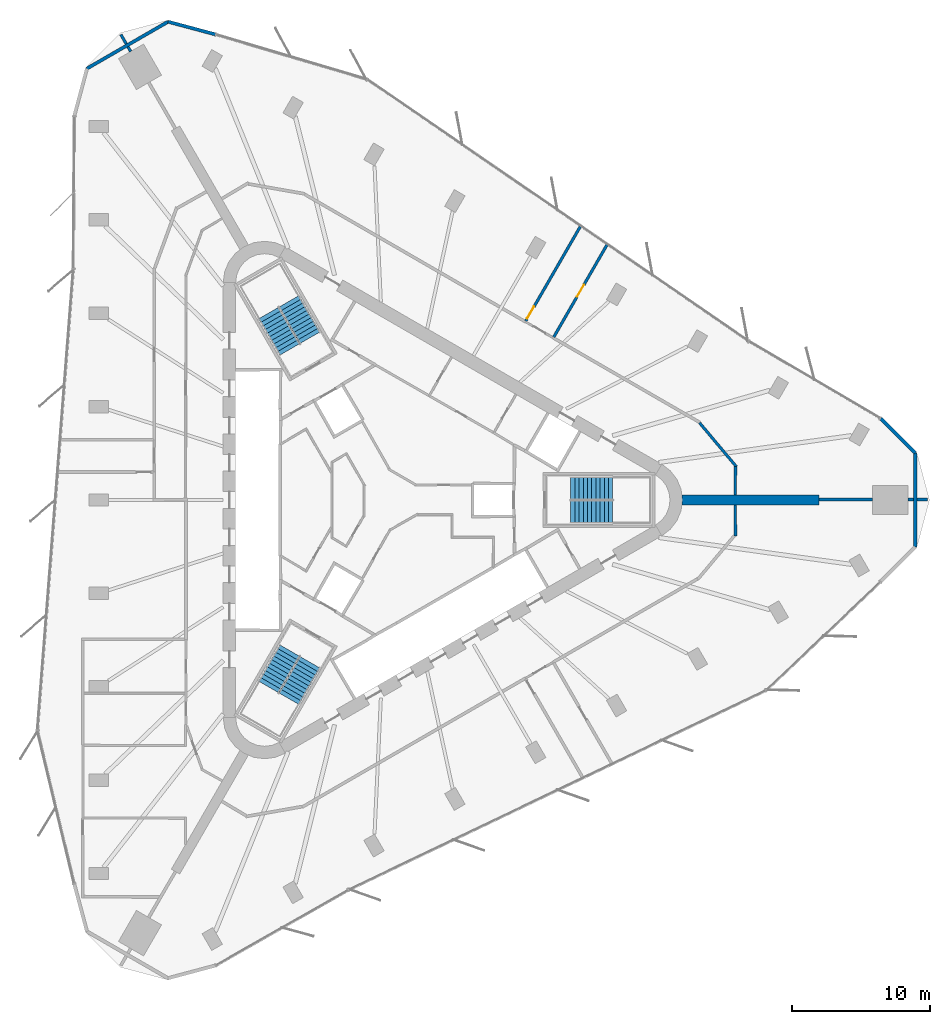
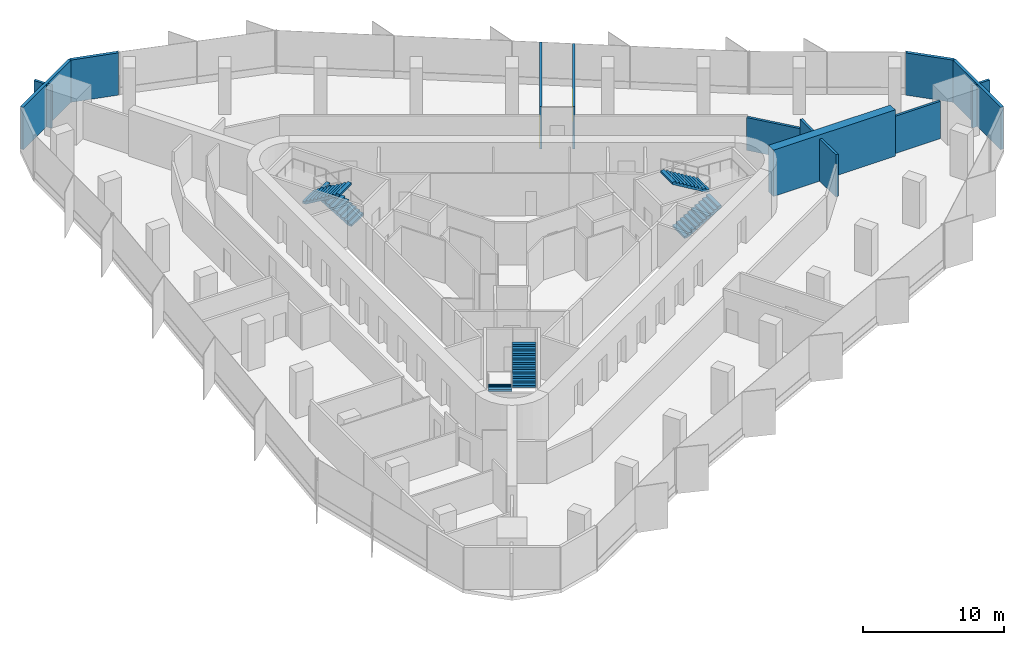
# One storey, part 12 of 13: 15 walls, 6 stair flights, 2 doors, 2 openings, 3 elements without a shape of their own.
"""IFC4 building model written with IfcOpenShell, lengths in metres."""

from ifc_helpers import new_model, si_unit, direction, frame, frame_2d, origin, place, context, subcontext, project, spatial, polyline, rectangle, outline, extrude, material, layer, layer_set, type_object, element, fill, aggregate, save


model = new_model("IFC4")

# Units and contexts
model_context = context("Model", 3, precision=1e-05, world=origin(), true_north=direction((0.0, 1.0)))
body_context = subcontext(model_context, "Body", "Model", "MODEL_VIEW")
ifc_project = project(units=[si_unit("LENGTHUNIT", "METRE"), si_unit("AREAUNIT", "SQUARE_METRE"), si_unit("VOLUMEUNIT", "CUBIC_METRE"), si_unit("PLANEANGLEUNIT", "RADIAN"), si_unit("MASSUNIT", "GRAM", prefix="KILO")], contexts=[model_context])

# Site, building, storey
site_placement = place(None, origin())
site = spatial("IfcSite", under=ifc_project, at=site_placement, CompositionType="ELEMENT")
building_placement = place(site_placement, origin())
building = spatial("IfcBuilding", under=site, at=building_placement, Name="Tanit Gate Tower", CompositionType="ELEMENT")
storey_placement = place(building_placement, frame((0.0, 0.0, 273.199951171875)))
storey = spatial("IfcBuildingStorey", under=building, at=storey_placement, Name="L62", CompositionType="ELEMENT", Elevation=273.199951171875)

# Walls
ifc_material_1 = material(Name="Concrete C50/60", Category="concrete")
ifc_layer_1 = layer(ifc_material_1, 0.699951171875)
ifc_layer_set_1 = layer_set([ifc_layer_1], Name="BUTTRESS FIN 700 C50/60")
wall_type_1 = type_object("IfcWallType", Name="BUTTRESS FIN 700 C50/60", PredefinedType="SHEAR", material=ifc_layer_set_1)
wall_1_placement = place(storey_placement, frame((21.14990234375, 0.0, 0.0), z_axis=(0.0, 0.0, 1.0), x_axis=(1.0, 0.0, 0.0)))
element("IfcWall", 1, at=wall_1_placement, inside=storey, type_object=wall_type_1, Name="BUTTRESS FIN", PredefinedType="SHEAR", context=body_context, shape_type="SweptSolid", body=[
    extrude(rectangle(XDim=9.964599609375, YDim=0.699951171875, at=frame_2d((4.982421875, 0.0))), origin(), (0.0, 0.0, 1.0), 4.0),
])
ifc_material_2 = material(Name="Concrete C30/37 with bronze anodised aluminium cladding", Category="concrete")
ifc_layer_2 = layer(ifc_material_2, 0.239990234375)
ifc_layer_set_2 = layer_set([ifc_layer_2], Name="Facade wall bronze clad 240")
wall_type_2 = type_object("IfcWallType", Name="Facade wall bronze clad 240", PredefinedType="SOLIDWALL", material=ifc_layer_set_2)
wall_2_placement = place(storey_placement, frame((-12.670166015625, 33.763671875, 0.0), z_axis=(0.0, 0.0, 1.0), x_axis=(-0.965927175343, 0.258814010312, 0.0)))
element("IfcWall", 2, at=wall_2_placement, inside=storey, type_object=wall_type_2, Name="Bronze-clad facade wall L62 NW.arc1", PredefinedType="SOLIDWALL", context=body_context, shape_type="SweptSolid", body=[
    extrude(rectangle(XDim=3.549560546875, YDim=0.239990234375, at=frame_2d((1.77490234375, 0.0))), origin(), (0.0, 0.0, 1.0), 3.650146484375),
])
for number, where, z_axis, x_axis, name in (
    (3, (-16.098876953125, 34.682373046875, 0.0), (0.0, 0.0, 1.0), (-0.866022320763, -0.500005339912, 0.0), "Bronze-clad facade wall L62 NW.arc2"),
    (4, (38.085205078125, -3.399169921875, 0.0), (0.0, 0.0, 1.0), (0.0, 1.0, 0.0), "Bronze-clad facade wall L62 E.arc2"),
):
    element("IfcWall", number, at=place(storey_placement, frame(where, z_axis=z_axis, x_axis=x_axis)), inside=storey, type_object=wall_type_2, Name=name, PredefinedType="SOLIDWALL", context=body_context, shape_type="SweptSolid", body=[
        extrude(rectangle(XDim=6.79833984375, YDim=0.239990234375, at=frame_2d((3.399169921875, 0.0))), origin(), (0.0, 0.0, 1.0), 3.650146484375),
    ])
wall_3_placement = place(storey_placement, frame((38.085205078125, 3.399169921875, 0.0), z_axis=(0.0, 0.0, 1.0), x_axis=(-0.707106781187, 0.707106781187, 0.0)))
element("IfcWall", 5, at=wall_3_placement, inside=storey, type_object=wall_type_2, Name="Bronze-clad facade wall L62 E.arc3", PredefinedType="SOLIDWALL", context=body_context, shape_type="SweptSolid", body=[
    extrude(rectangle(XDim=3.535888671875, YDim=0.239990234375, at=frame_2d((1.76806640625, 0.0))), origin(), (0.0, 0.0, 1.0), 3.650146484375),
])
ifc_material_3 = material(Name="Fire-rated gypsum board partition")
ifc_layer_3 = layer(ifc_material_3, 0.199951171875)
ifc_layer_set_3 = layer_set([ifc_layer_3], Name="INT-WALL-COMPARTMENT")
wall_type_3 = type_object("IfcWallType", Name="INT-WALL-COMPARTMENT", PredefinedType="PARTITIONING", material=ifc_layer_set_3)
wall_4_placement = place(storey_placement, frame((25.12109375, 2.40283203125, 0.0), z_axis=(0.0, 0.0, 1.0), x_axis=(-0.642809831665, 0.766025796116, 0.0)))
element("IfcWall", 6, at=wall_4_placement, inside=storey, type_object=wall_type_3, Name="Wall Compartment W100", PredefinedType="PARTITIONING", context=body_context, shape_type="SweptSolid", body=[
    extrude(rectangle(XDim=4.164794921875, YDim=0.199951171875, at=frame_2d((2.08251953125, 0.0))), origin(), (0.0, 0.0, 1.0), 2.830078125),
])
wall_5_placement = place(storey_placement, frame((25.0205078125, 0.35009765625, 0.0), z_axis=(0.0, 0.0, 1.0), x_axis=(0.012014998271, 0.999927817303, 0.0)))
element("IfcWall", 7, at=wall_5_placement, inside=storey, type_object=wall_type_3, Name="Wall Compartment W101", PredefinedType="PARTITIONING", context=body_context, shape_type="SweptSolid", body=[
    extrude(rectangle(XDim=2.093017578125, YDim=0.199951171875, at=frame_2d((1.04638671875, 0.0))), origin(), (0.0, 0.0, 1.0), 3.650146484375),
])
wall_6_placement = place(storey_placement, frame((25.047607421875, -2.608154296875, 0.0), z_axis=(0.0, 0.0, 1.0), x_axis=(-0.012000433251, 0.999927992208, 0.0)))
element("IfcWall", 8, at=wall_6_placement, inside=storey, type_object=wall_type_3, Name="Wall Compartment W106", PredefinedType="PARTITIONING", context=body_context, shape_type="SweptSolid", body=[
    extrude(rectangle(XDim=2.25830078125, YDim=0.199951171875, at=frame_2d((1.129150390625, 0.0))), origin(), (0.0, 0.0, 1.0), 3.650146484375),
])
wall_7_placement = place(storey_placement, frame((-19.52001953125, 33.74951171875, 0.0), z_axis=(0.0, 0.0, 1.0), x_axis=(0.499929430274, -0.866066143401, 0.0)))
element("IfcWall", 9, at=wall_7_placement, inside=storey, type_object=wall_type_3, Name="Wall Compartment W122", PredefinedType="PARTITIONING", context=body_context, shape_type="SweptSolid", body=[
    extrude(rectangle(XDim=0.78271484375, YDim=0.199951171875, at=frame_2d((0.391357421875, 0.0))), origin(), (0.0, 0.0, 1.0), 3.650146484375),
])
wall_8_placement = place(storey_placement, frame((-19.008544921875, 32.86376953125, 0.0), z_axis=(0.0, 0.0, 1.0), x_axis=(0.500061319399, -0.865989998118, 0.0)))
element("IfcWall", 10, at=wall_8_placement, inside=storey, type_object=wall_type_3, Name="Wall Compartment W122x1", PredefinedType="PARTITIONING", context=body_context, shape_type="SweptSolid", body=[
    extrude(rectangle(XDim=0.39501953125, YDim=0.199951171875, at=frame_2d((0.197509765625, 0.0))), origin(), (0.0, 0.0, 1.0), 3.650146484375),
])

# Wall, opening, door
wall_9_placement = place(storey_placement, frame((11.864501953125, 11.81005859375, 0.0), z_axis=(0.0, 0.0, 1.0), x_axis=(0.500025956197, 0.866010417449, 0.0)))
wall_9 = element("IfcWall", 11, at=wall_9_placement, inside=storey, type_object=wall_type_3, Name="Wall Compartment W124", PredefinedType="PARTITIONING", context=body_context, shape_type="SweptSolid", body=[
    extrude(rectangle(XDim=7.775390625, YDim=0.199951171875, at=frame_2d((3.8876953125, 0.0))), origin(), (0.0, 0.0, 1.0), 3.650146484375),
])
opening_1_placement = place(wall_9_placement, frame((3.3876953125, 0.0, 0.0)))
opening_1 = element("IfcOpeningElement", 12, at=opening_1_placement, cuts=wall_9, Name="Opening F10-S17-29", PredefinedType="OPENING", context=body_context, shape_type="SweptSolid", body=[
    extrude(rectangle(XDim=1.0, YDim=2.10009765625, at=frame_2d((0.5, 1.050048828125))), frame((0.0, 0.10986328125, 0.0), z_axis=(0.0, -1.0, 0.0), x_axis=(1.0, 0.0, 0.0)), (0.0, 0.0, 1.0), 0.219970703125),
])
ifc_material_4 = material(Name="Fire-rated steel door leaf", Category="steel")
door_type = type_object("IfcDoorType", Name="INT-DOOR-FIRE-1000", OperationType="NOTDEFINED", PredefinedType="USERDEFINED", material=ifc_material_4)
door_1_placement = place(opening_1_placement, origin())
door_1 = element("IfcDoor", 13, at=door_1_placement, inside=storey, type_object=door_type, Name="Door F10-S17-29", ObjectType="FIRE DOOR", OperationType="SINGLE_SWING_LEFT", OverallHeight=2.10009765625, OverallWidth=1.0, PredefinedType="USERDEFINED", context=body_context, shape_type="SweptSolid", body=[
    extrude(rectangle(XDim=1.0, YDim=2.10009765625, at=frame_2d((0.5, 1.050048828125))), frame((0.0, 0.02490234375, 0.0), z_axis=(0.0, -1.0, 0.0), x_axis=(1.0, 0.0, 0.0)), (0.0, 0.0, 1.0), 0.050048828125),
])
fill(opening_1, door_1)

wall_10_placement = place(storey_placement, frame((13.81689453125, 19.87158203125, 0.0), z_axis=(0.0, 0.0, 1.0), x_axis=(-0.499989797406, -0.866031294175, 0.0)))
wall_10 = element("IfcWall", 14, at=wall_10_placement, inside=storey, type_object=wall_type_3, Name="Wall Compartment W125", PredefinedType="PARTITIONING", context=body_context, shape_type="SweptSolid", body=[
    extrude(rectangle(XDim=7.957763671875, YDim=0.199951171875, at=frame_2d((3.97900390625, 0.0))), origin(), (0.0, 0.0, 1.0), 3.650146484375),
])
opening_2_placement = place(wall_10_placement, frame((6.7578125, 0.0, 0.0)))
opening_2 = element("IfcOpeningElement", 15, at=opening_2_placement, cuts=wall_10, Name="Opening F10-S17-30", PredefinedType="OPENING", context=body_context, shape_type="SweptSolid", body=[
    extrude(rectangle(XDim=1.0, YDim=2.10009765625, at=frame_2d((0.5, 1.050048828125))), frame((0.0, 0.10986328125, 0.0), z_axis=(0.0, -1.0, 0.0), x_axis=(1.0, 0.0, 0.0)), (0.0, 0.0, 1.0), 0.219970703125),
])
door_2_placement = place(opening_2_placement, origin())
door_2 = element("IfcDoor", 16, at=door_2_placement, inside=storey, type_object=door_type, Name="Door F10-S17-30", ObjectType="FIRE DOOR", OperationType="SINGLE_SWING_LEFT", OverallHeight=2.10009765625, OverallWidth=1.0, PredefinedType="USERDEFINED", context=body_context, shape_type="SweptSolid", body=[
    extrude(rectangle(XDim=1.0, YDim=2.10009765625, at=frame_2d((0.5, 1.050048828125))), frame((0.0, 0.02490234375, 0.0), z_axis=(0.0, -1.0, 0.0), x_axis=(1.0, 0.0, 0.0)), (0.0, 0.0, 1.0), 0.050048828125),
])
fill(opening_2, door_2)

# Walls
wall_11_placement = place(storey_placement, frame((38.988037109375, 0.030029296875, 0.0), z_axis=(0.0, 0.0, 1.0), x_axis=(-1.0, 0.0, 0.0)))
element("IfcWall", 17, at=wall_11_placement, inside=storey, type_object=wall_type_3, Name="Wall Compartment W127", PredefinedType="PARTITIONING", context=body_context, shape_type="SweptSolid", body=[
    extrude(rectangle(XDim=0.782958984375, YDim=0.199951171875, at=frame_2d((0.3916015625, 0.0))), origin(), (0.0, 0.0, 1.0), 3.650146484375),
])
wall_12_placement = place(storey_placement, frame((37.965087890625, 0.030029296875, 0.0), z_axis=(0.0, 0.0, 1.0), x_axis=(-1.0, 0.0, 0.0)))
element("IfcWall", 18, at=wall_12_placement, inside=storey, type_object=wall_type_3, Name="Wall Compartment W127x1", PredefinedType="PARTITIONING", context=body_context, shape_type="SweptSolid", body=[
    extrude(rectangle(XDim=0.394775390625, YDim=0.199951171875, at=frame_2d((0.197265625, 0.0))), origin(), (0.0, 0.0, 1.0), 3.650146484375),
])
wall_13_placement = place(storey_placement, frame((34.97021484375, 0.030029296875, 0.0), z_axis=(0.0, 0.0, 1.0), x_axis=(-1.0, 0.0, 0.0)))
element("IfcWall", 19, at=wall_13_placement, inside=storey, type_object=wall_type_3, Name="Wall Compartment W126", PredefinedType="PARTITIONING", context=body_context, shape_type="SweptSolid", body=[
    extrude(rectangle(XDim=3.855712890625, YDim=0.199951171875, at=frame_2d((1.927734375, 0.0))), origin(), (0.0, 0.0, 1.0), 3.219970703125),
])

# Stair, stair flights
ifc_material_5 = material(Name="Concrete C40/50", Category="concrete")
stair_type = type_object("IfcStairType", Name="INT-STAIR-EXIT", PredefinedType="HALF_TURN_STAIR", material=ifc_material_5)
stair_1_placement = place(storey_placement, origin())
stair_1 = element("IfcStair", 20, at=stair_1_placement, inside=storey, type_object=stair_type, Name="L62 STAIR S1", PredefinedType="HALF_TURN_STAIR")
ifc_material_6 = material(Name="Concrete C40/50", Category="concrete")
stair_flight_type = type_object("IfcStairFlightType", Name="INT-STAIR-FLIGHT", PredefinedType="STRAIGHT", material=ifc_material_6)
stair_flight_1_placement = place(storey_placement, frame((13.094970703125, -0.8525390625, 0.0), z_axis=(0.0, 0.0, 1.0), x_axis=(1.0, 0.0, 0.0)))
stair_flight_1 = element("IfcStairFlight", 21, at=stair_flight_1_placement, type_object=stair_flight_type, Name="S1 flight 1", NumberOfRisers=11, NumberOfTreads=10, PredefinedType="STRAIGHT", RiserHeight=0.181818182, TreadLength=0.3051, context=body_context, shape_type="SweptSolid", body=[
    extrude(outline(polyline([(0.0, 0.0), (0.0, 0.181884765625), (0.30517578125, 0.181884765625), (0.30517578125, 0.363525390625), (0.610107421875, 0.363525390625), (0.610107421875, 0.54541015625), (0.915283203125, 0.54541015625), (0.915283203125, 0.727294921875), (1.220458984375, 0.727294921875), (1.220458984375, 0.9091796875), (1.525390625, 0.9091796875), (1.525390625, 1.0908203125), (1.83056640625, 1.0908203125), (1.83056640625, 1.272705078125), (2.1357421875, 1.272705078125), (2.1357421875, 1.45458984375), (2.44091796875, 1.45458984375), (2.44091796875, 1.636474609375), (2.745849609375, 1.636474609375), (2.745849609375, 1.818115234375), (3.051025390625, 1.818115234375), (3.051025390625, 2.0), (3.051025390625, 1.643798828125), (0.292724609375, 0.0), (0.0, 0.0)])), frame((0.0, 0.84765625, 0.0), z_axis=(0.0, -1.0, 0.0), x_axis=(1.0, 0.0, 0.0)), (0.0, 0.0, 1.0), 1.695068359375),
])
stair_flight_2_placement = place(storey_placement, frame((16.14599609375, 0.8525390625, 2.0), z_axis=(0.0, 0.0, 1.0), x_axis=(-1.0, 0.0, 0.0)))
stair_flight_2 = element("IfcStairFlight", 22, at=stair_flight_2_placement, type_object=stair_flight_type, Name="S1 flight 2", NumberOfRisers=11, NumberOfTreads=10, PredefinedType="STRAIGHT", RiserHeight=0.181818182, TreadLength=0.3051, context=body_context, shape_type="SweptSolid", body=[
    extrude(outline(polyline([(0.0, 0.0), (0.0, 0.181884765625), (0.30517578125, 0.181884765625), (0.30517578125, 0.363525390625), (0.610107421875, 0.363525390625), (0.610107421875, 0.54541015625), (0.915283203125, 0.54541015625), (0.915283203125, 0.727294921875), (1.220458984375, 0.727294921875), (1.220458984375, 0.9091796875), (1.525390625, 0.9091796875), (1.525390625, 1.0908203125), (1.83056640625, 1.0908203125), (1.83056640625, 1.272705078125), (2.1357421875, 1.272705078125), (2.1357421875, 1.45458984375), (2.44091796875, 1.45458984375), (2.44091796875, 1.636474609375), (2.745849609375, 1.636474609375), (2.745849609375, 1.818115234375), (3.051025390625, 1.818115234375), (3.051025390625, 2.0), (3.051025390625, 1.643798828125), (0.292724609375, 0.0), (0.0, 0.0)])), frame((0.0, 0.84765625, 0.0), z_axis=(0.0, -1.0, 0.0), x_axis=(1.0, 0.0, 0.0)), (0.0, 0.0, 1.0), 1.695068359375),
])
aggregate(stair_1, [stair_flight_1, stair_flight_2])

stair_2_placement = place(storey_placement, origin())
stair_2 = element("IfcStair", 23, at=stair_2_placement, inside=storey, type_object=stair_type, Name="L62 STAIR S2", PredefinedType="HALF_TURN_STAIR")
stair_flight_3_placement = place(storey_placement, frame((-5.808349609375, 11.766357421875, 0.0), z_axis=(0.0, 0.0, 1.0), x_axis=(-0.5, 0.866025403784, 0.0)))
stair_flight_3 = element("IfcStairFlight", 24, at=stair_flight_3_placement, type_object=stair_flight_type, Name="S2 flight 1", NumberOfRisers=11, NumberOfTreads=10, PredefinedType="STRAIGHT", RiserHeight=0.181818182, TreadLength=0.30492, context=body_context, shape_type="SweptSolid", body=[
    extrude(outline(polyline([(0.0, 0.0), (0.0, 0.181884765625), (0.304931640625, 0.181884765625), (0.304931640625, 0.363525390625), (0.60986328125, 0.363525390625), (0.60986328125, 0.54541015625), (0.914794921875, 0.54541015625), (0.914794921875, 0.727294921875), (1.2197265625, 0.727294921875), (1.2197265625, 0.9091796875), (1.524658203125, 0.9091796875), (1.524658203125, 1.0908203125), (1.82958984375, 1.0908203125), (1.82958984375, 1.272705078125), (2.134521484375, 1.272705078125), (2.134521484375, 1.45458984375), (2.439453125, 1.45458984375), (2.439453125, 1.636474609375), (2.744384765625, 1.636474609375), (2.744384765625, 1.818115234375), (3.04931640625, 1.818115234375), (3.04931640625, 2.0), (3.04931640625, 1.6435546875), (0.292724609375, 0.0), (0.0, 0.0)])), frame((0.0, 0.84716796875, 0.0), z_axis=(0.0, -1.0, 0.0), x_axis=(1.0, 0.0, 0.0)), (0.0, 0.0, 1.0), 1.694091796875),
])
stair_flight_4_placement = place(storey_placement, frame((-8.810302734375, 13.553955078125, 2.0), z_axis=(0.0, 0.0, 1.0), x_axis=(0.5, -0.866025403784, 0.0)))
stair_flight_4 = element("IfcStairFlight", 25, at=stair_flight_4_placement, type_object=stair_flight_type, Name="S2 flight 2", NumberOfRisers=11, NumberOfTreads=10, PredefinedType="STRAIGHT", RiserHeight=0.181818182, TreadLength=0.30492, context=body_context, shape_type="SweptSolid", body=[
    extrude(outline(polyline([(0.0, 0.0), (0.0, 0.181884765625), (0.304931640625, 0.181884765625), (0.304931640625, 0.363525390625), (0.60986328125, 0.363525390625), (0.60986328125, 0.54541015625), (0.914794921875, 0.54541015625), (0.914794921875, 0.727294921875), (1.2197265625, 0.727294921875), (1.2197265625, 0.9091796875), (1.524658203125, 0.9091796875), (1.524658203125, 1.0908203125), (1.82958984375, 1.0908203125), (1.82958984375, 1.272705078125), (2.134521484375, 1.272705078125), (2.134521484375, 1.45458984375), (2.439453125, 1.45458984375), (2.439453125, 1.636474609375), (2.744384765625, 1.636474609375), (2.744384765625, 1.818115234375), (3.04931640625, 1.818115234375), (3.04931640625, 2.0), (3.04931640625, 1.6435546875), (0.292724609375, 0.0), (0.0, 0.0)])), frame((0.0, 0.84716796875, 0.0), z_axis=(0.0, -1.0, 0.0), x_axis=(1.0, 0.0, 0.0)), (0.0, 0.0, 1.0), 1.694091796875),
])
aggregate(stair_2, [stair_flight_3, stair_flight_4])

stair_3_placement = place(storey_placement, origin())
stair_3 = element("IfcStair", 26, at=stair_3_placement, inside=storey, type_object=stair_type, Name="L62 STAIR S3", PredefinedType="HALF_TURN_STAIR")
stair_flight_5_placement = place(storey_placement, frame((-7.285888671875, -10.914306640625, 0.0), z_axis=(0.0, 0.0, 1.0), x_axis=(-0.5, -0.866025403784, 0.0)))
stair_flight_5 = element("IfcStairFlight", 27, at=stair_flight_5_placement, type_object=stair_flight_type, Name="S3 flight 1", NumberOfRisers=11, NumberOfTreads=10, PredefinedType="STRAIGHT", RiserHeight=0.181818182, TreadLength=0.3051, context=body_context, shape_type="SweptSolid", body=[
    extrude(outline(polyline([(0.0, 0.0), (0.0, 0.181884765625), (0.30517578125, 0.181884765625), (0.30517578125, 0.363525390625), (0.610107421875, 0.363525390625), (0.610107421875, 0.54541015625), (0.915283203125, 0.54541015625), (0.915283203125, 0.727294921875), (1.220458984375, 0.727294921875), (1.220458984375, 0.9091796875), (1.525390625, 0.9091796875), (1.525390625, 1.0908203125), (1.83056640625, 1.0908203125), (1.83056640625, 1.272705078125), (2.1357421875, 1.272705078125), (2.1357421875, 1.45458984375), (2.44091796875, 1.45458984375), (2.44091796875, 1.636474609375), (2.745849609375, 1.636474609375), (2.745849609375, 1.818115234375), (3.051025390625, 1.818115234375), (3.051025390625, 2.0), (3.051025390625, 1.643798828125), (0.292724609375, 0.0), (0.0, 0.0)])), frame((0.0, 0.84765625, 0.0), z_axis=(0.0, -1.0, 0.0), x_axis=(1.0, 0.0, 0.0)), (0.0, 0.0, 1.0), 1.695068359375),
])
stair_flight_6_placement = place(storey_placement, frame((-7.334716796875, -14.4091796875, 2.0), z_axis=(0.0, 0.0, 1.0), x_axis=(0.5, 0.866025403784, 0.0)))
stair_flight_6 = element("IfcStairFlight", 28, at=stair_flight_6_placement, type_object=stair_flight_type, Name="S3 flight 2", NumberOfRisers=11, NumberOfTreads=10, PredefinedType="STRAIGHT", RiserHeight=0.181818182, TreadLength=0.3051, context=body_context, shape_type="SweptSolid", body=[
    extrude(outline(polyline([(0.0, 0.0), (0.0, 0.181884765625), (0.30517578125, 0.181884765625), (0.30517578125, 0.363525390625), (0.610107421875, 0.363525390625), (0.610107421875, 0.54541015625), (0.915283203125, 0.54541015625), (0.915283203125, 0.727294921875), (1.220458984375, 0.727294921875), (1.220458984375, 0.9091796875), (1.525390625, 0.9091796875), (1.525390625, 1.0908203125), (1.83056640625, 1.0908203125), (1.83056640625, 1.272705078125), (2.1357421875, 1.272705078125), (2.1357421875, 1.45458984375), (2.44091796875, 1.45458984375), (2.44091796875, 1.636474609375), (2.745849609375, 1.636474609375), (2.745849609375, 1.818115234375), (3.051025390625, 1.818115234375), (3.051025390625, 2.0), (3.051025390625, 1.643798828125), (0.292724609375, 0.0), (0.0, 0.0)])), frame((0.0, 0.84765625, 0.0), z_axis=(0.0, -1.0, 0.0), x_axis=(1.0, 0.0, 0.0)), (0.0, 0.0, 1.0), 1.695068359375),
])
aggregate(stair_3, [stair_flight_5, stair_flight_6])

save(model, "model.ifc")
